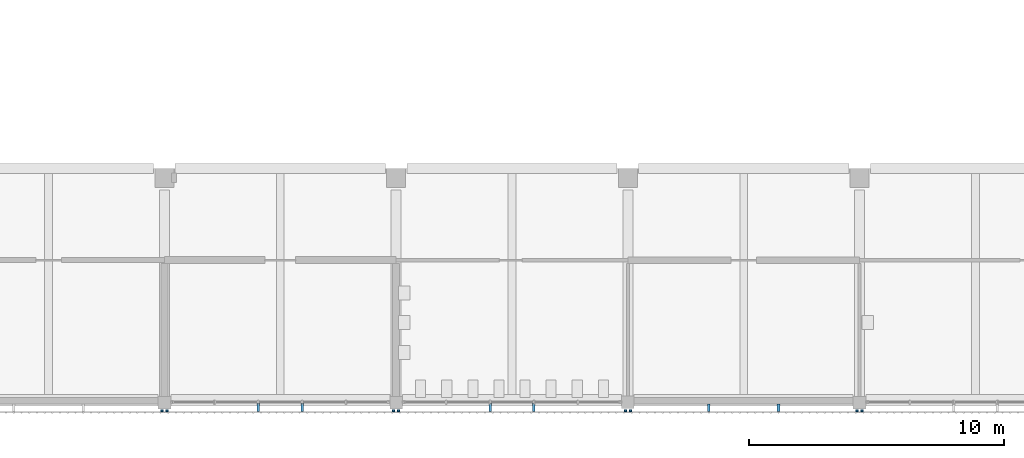
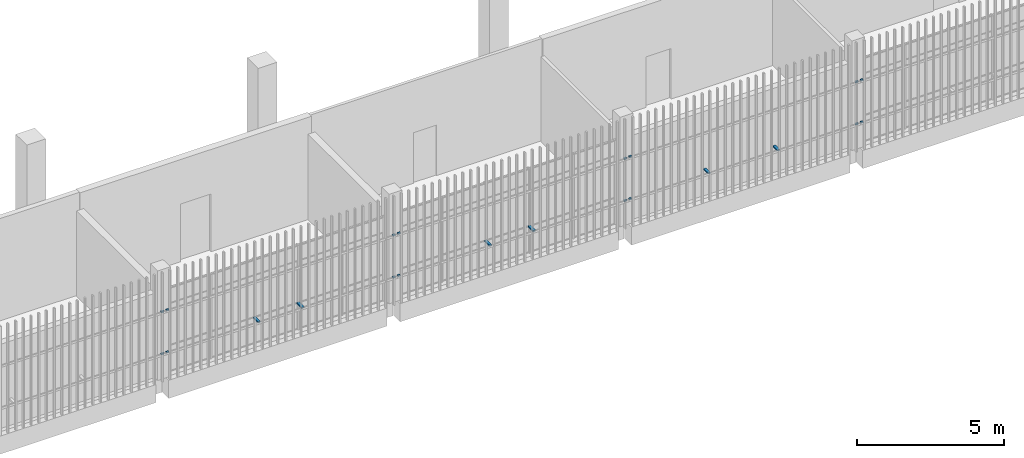
# One storey, part 91 of 124: 22 discrete accessories.
"""IFC4 building model written with IfcOpenShell, lengths in metres."""

from ifc_helpers import new_model, si_unit, direction, frame, origin, origin_2d, place, context, subcontext, project, spatial, rectangle, extrude, material, type_object, element, save


model = new_model("IFC4")

# Units and contexts
model_context = context("Model", 3, precision=1e-05, world=origin(), true_north=direction((0.0, 1.0)))
body_context = subcontext(model_context, "Body", "Model", "MODEL_VIEW")
ifc_project = project(units=[si_unit("LENGTHUNIT", "METRE"), si_unit("AREAUNIT", "SQUARE_METRE"), si_unit("VOLUMEUNIT", "CUBIC_METRE"), si_unit("PLANEANGLEUNIT", "RADIAN"), si_unit("MASSUNIT", "GRAM", prefix="KILO")], contexts=[model_context])

# Site, building, storey
site_placement = place(None, origin())
site = spatial("IfcSite", under=ifc_project, at=site_placement, CompositionType="ELEMENT")
building_placement = place(site_placement, origin())
building = spatial("IfcBuilding", under=site, at=building_placement, Name="Shirokan Park Arena", CompositionType="ELEMENT")
storey_placement = place(building_placement, frame((0.0, 0.0, 20.02001953125)))
storey = spatial("IfcBuildingStorey", under=building, at=storey_placement, Name="L04", CompositionType="ELEMENT", Elevation=20.02001953125)

# Discrete accessories
ifc_material = material(Name="Steel S355", Category="steel")
discrete_accessory_type = type_object("IfcDiscreteAccessoryType", Name="Veil bracket 100x60", PredefinedType="BRACKET", material=ifc_material)
for number, where, z_axis, x_axis, name in (
    (1, (63.60009765625, -0.409912109375, 1.070068359375), (0.0, 0.0, 1.0), (1.0, 0.0, 0.0), "Veil bracket south bay 7 L04 2"),
    (2, (63.60009765625, -0.409912109375, 2.820068359375), (0.0, 0.0, 1.0), (1.0, 0.0, 0.0), "Veil bracket south bay 7 L04 4"),
    (3, (63.800048828125, -0.409912109375, 1.070068359375), (0.0, 0.0, 1.0), (1.0, 0.0, 0.0), "Veil bracket south bay 8 L04 1"),
    (4, (72.699951171875, -0.409912109375, 1.070068359375), (0.0, 0.0, 1.0), (1.0, 0.0, 0.0), "Veil bracket south bay 8 L04 2"),
    (5, (63.800048828125, -0.409912109375, 2.820068359375), (0.0, 0.0, 1.0), (1.0, 0.0, 0.0), "Veil bracket south bay 8 L04 3"),
    (6, (72.699951171875, -0.409912109375, 2.820068359375), (0.0, 0.0, 1.0), (1.0, 0.0, 0.0), "Veil bracket south bay 8 L04 4"),
):
    element("IfcDiscreteAccessory", number, at=place(storey_placement, frame(where, z_axis=z_axis, x_axis=x_axis)), inside=storey, type_object=discrete_accessory_type, Name=name, PredefinedType="BRACKET", context=body_context, shape_type="SweptSolid", body=[
        extrude(rectangle(XDim=0.10009765625, YDim=0.070068359375, at=origin_2d()), origin(), (0.0, 0.0, 1.0), 0.06005859375),
    ])
for number, where, z_axis, x_axis, name in (
    (7, (67.389892578125, -0.2724609375, 1.070068359375), (0.0, 0.0, 1.0), (1.0, 0.0, 0.0), "Veil bracket south bay 8 L04 wall 1"),
    (8, (69.110107421875, -0.2724609375, 1.070068359375), (0.0, 0.0, 1.0), (1.0, 0.0, 0.0), "Veil bracket south bay 8 L04 wall 2"),
):
    element("IfcDiscreteAccessory", number, at=place(storey_placement, frame(where, z_axis=z_axis, x_axis=x_axis)), inside=storey, type_object=discrete_accessory_type, Name=name, PredefinedType="BRACKET", context=body_context, shape_type="SweptSolid", body=[
        extrude(rectangle(XDim=0.10009765625, YDim=0.344970703125, at=origin_2d()), origin(), (0.0, 0.0, 1.0), 0.06005859375),
    ])
for number, where, z_axis, x_axis, name in (
    (9, (72.89990234375, -0.409912109375, 1.070068359375), (0.0, 0.0, 1.0), (1.0, 0.0, 0.0), "Veil bracket south bay 9 L04 1"),
    (10, (81.800048828125, -0.409912109375, 1.070068359375), (0.0, 0.0, 1.0), (1.0, 0.0, 0.0), "Veil bracket south bay 9 L04 2"),
    (11, (72.89990234375, -0.409912109375, 2.820068359375), (0.0, 0.0, 1.0), (1.0, 0.0, 0.0), "Veil bracket south bay 9 L04 3"),
    (12, (81.800048828125, -0.409912109375, 2.820068359375), (0.0, 0.0, 1.0), (1.0, 0.0, 0.0), "Veil bracket south bay 9 L04 4"),
):
    element("IfcDiscreteAccessory", number, at=place(storey_placement, frame(where, z_axis=z_axis, x_axis=x_axis)), inside=storey, type_object=discrete_accessory_type, Name=name, PredefinedType="BRACKET", context=body_context, shape_type="SweptSolid", body=[
        extrude(rectangle(XDim=0.10009765625, YDim=0.070068359375, at=origin_2d()), origin(), (0.0, 0.0, 1.0), 0.06005859375),
    ])
for number, where, z_axis, x_axis, name in (
    (13, (76.489990234375, -0.2724609375, 1.070068359375), (0.0, 0.0, 1.0), (1.0, 0.0, 0.0), "Veil bracket south bay 9 L04 wall 1"),
    (14, (78.2099609375, -0.2724609375, 1.070068359375), (0.0, 0.0, 1.0), (1.0, 0.0, 0.0), "Veil bracket south bay 9 L04 wall 2"),
):
    element("IfcDiscreteAccessory", number, at=place(storey_placement, frame(where, z_axis=z_axis, x_axis=x_axis)), inside=storey, type_object=discrete_accessory_type, Name=name, PredefinedType="BRACKET", context=body_context, shape_type="SweptSolid", body=[
        extrude(rectangle(XDim=0.10009765625, YDim=0.344970703125, at=origin_2d()), origin(), (0.0, 0.0, 1.0), 0.06005859375),
    ])
for number, where, z_axis, x_axis, name in (
    (15, (82.0, -0.409912109375, 1.070068359375), (0.0, 0.0, 1.0), (1.0, 0.0, 0.0), "Veil bracket south bay 10 L04 1"),
    (16, (90.89990234375, -0.409912109375, 1.070068359375), (0.0, 0.0, 1.0), (1.0, 0.0, 0.0), "Veil bracket south bay 10 L04 2"),
    (17, (82.0, -0.409912109375, 2.820068359375), (0.0, 0.0, 1.0), (1.0, 0.0, 0.0), "Veil bracket south bay 10 L04 3"),
    (18, (90.89990234375, -0.409912109375, 2.820068359375), (0.0, 0.0, 1.0), (1.0, 0.0, 0.0), "Veil bracket south bay 10 L04 4"),
):
    element("IfcDiscreteAccessory", number, at=place(storey_placement, frame(where, z_axis=z_axis, x_axis=x_axis)), inside=storey, type_object=discrete_accessory_type, Name=name, PredefinedType="BRACKET", context=body_context, shape_type="SweptSolid", body=[
        extrude(rectangle(XDim=0.10009765625, YDim=0.070068359375, at=origin_2d()), origin(), (0.0, 0.0, 1.0), 0.06005859375),
    ])
for number, where, z_axis, x_axis, name in (
    (19, (85.0849609375, -0.297607421875, 1.070068359375), (0.0, 0.0, 1.0), (1.0, 0.0, 0.0), "Veil bracket south bay 10 L04 wall 1"),
    (20, (87.81494140625, -0.297607421875, 1.070068359375), (0.0, 0.0, 1.0), (1.0, 0.0, 0.0), "Veil bracket south bay 10 L04 wall 2"),
):
    element("IfcDiscreteAccessory", number, at=place(storey_placement, frame(where, z_axis=z_axis, x_axis=x_axis)), inside=storey, type_object=discrete_accessory_type, Name=name, PredefinedType="BRACKET", context=body_context, shape_type="SweptSolid", body=[
        extrude(rectangle(XDim=0.10009765625, YDim=0.294921875, at=origin_2d()), origin(), (0.0, 0.0, 1.0), 0.06005859375),
    ])
for number, where, z_axis, x_axis, name in (
    (21, (91.10009765625, -0.409912109375, 1.070068359375), (0.0, 0.0, 1.0), (1.0, 0.0, 0.0), "Veil bracket south bay 11 L04 1"),
    (22, (91.10009765625, -0.409912109375, 2.820068359375), (0.0, 0.0, 1.0), (1.0, 0.0, 0.0), "Veil bracket south bay 11 L04 3"),
):
    element("IfcDiscreteAccessory", number, at=place(storey_placement, frame(where, z_axis=z_axis, x_axis=x_axis)), inside=storey, type_object=discrete_accessory_type, Name=name, PredefinedType="BRACKET", context=body_context, shape_type="SweptSolid", body=[
        extrude(rectangle(XDim=0.10009765625, YDim=0.070068359375, at=origin_2d()), origin(), (0.0, 0.0, 1.0), 0.06005859375),
    ])

save(model, "model.ifc")
